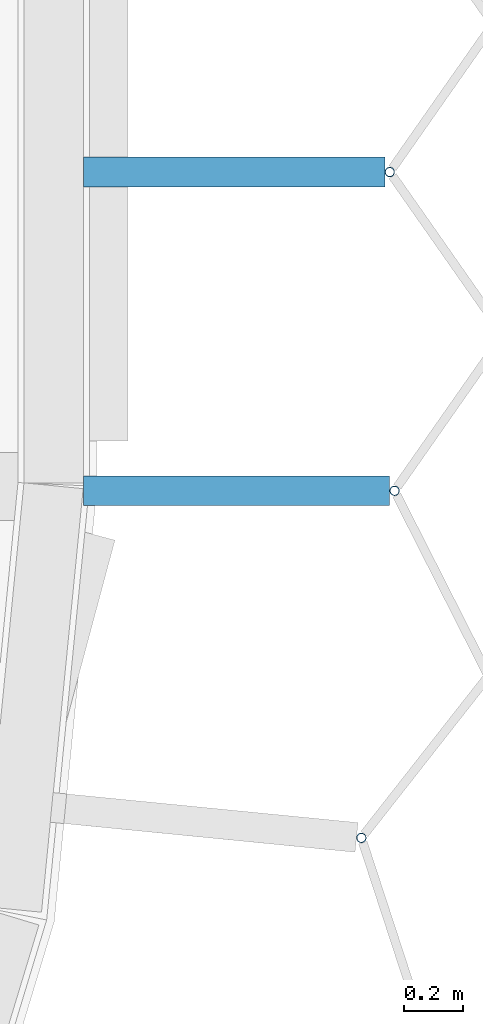
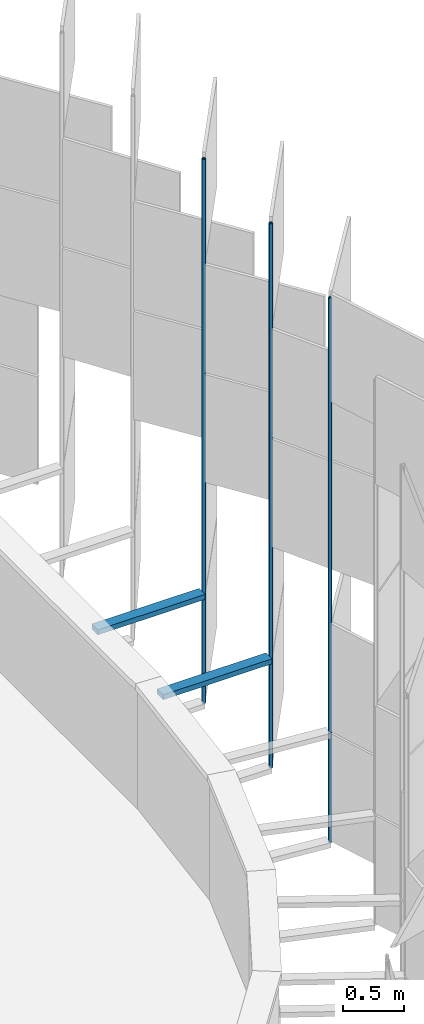
# One storey, part 176 of 483: 5 discrete accessories.
"""IFC4 building model written with IfcOpenShell, lengths in metres."""

from ifc_helpers import new_model, si_unit, direction, frame, origin, origin_2d, place, context, subcontext, project, spatial, rectangle, hollow_circle, extrude, material, material_profile, profile_set, type_object, element, save


model = new_model("IFC4")

# Units and contexts
model_context = context("Model", 3, precision=1e-05, world=origin(), true_north=direction((0.0, 1.0)))
body_context = subcontext(model_context, "Body", "Model", "MODEL_VIEW")
ifc_project = project(units=[si_unit("LENGTHUNIT", "METRE"), si_unit("AREAUNIT", "SQUARE_METRE"), si_unit("VOLUMEUNIT", "CUBIC_METRE"), si_unit("PLANEANGLEUNIT", "RADIAN"), si_unit("MASSUNIT", "GRAM", prefix="KILO")], contexts=[model_context])

# Site, building, storey
site_placement = place(None, origin())
site = spatial("IfcSite", under=ifc_project, at=site_placement, CompositionType="ELEMENT")
building_placement = place(site_placement, origin())
building = spatial("IfcBuilding", under=site, at=building_placement, Name="Parallax Yard Mobility Hub", CompositionType="ELEMENT")
storey_placement = place(building_placement, frame((0.0, 0.0, 13.199951171875)))
storey = spatial("IfcBuildingStorey", under=building, at=storey_placement, Name="L04", CompositionType="ELEMENT", Elevation=13.199951171875)

# Discrete accessories
ifc_material_1 = material(Name="Steel ASTM A36, hot-dip galvanised", Category="steel")
discrete_accessory_type_1 = type_object("IfcDiscreteAccessoryType", Name="Hinge bracket plate 100x50", PredefinedType="BRACKET", material=ifc_material_1)
discrete_accessory_1_placement = place(storey_placement, frame((225.468505859375, 29.985595703125, 1.06982421875), z_axis=(0.0, 0.0, 1.0), x_axis=(1.0, 0.0, 0.0)))
element("IfcDiscreteAccessory", 1, at=discrete_accessory_1_placement, inside=storey, type_object=discrete_accessory_type_1, Name="Hinge bracket plate bay 33.1 level L04", PredefinedType="BRACKET", context=body_context, shape_type="SweptSolid", body=[
    extrude(rectangle(XDim=1.030029296875, YDim=0.10009765625, at=origin_2d()), origin(), (0.0, 0.0, 1.0), 0.050048828125),
])
discrete_accessory_2_placement = place(storey_placement, frame((225.46044921875, 31.057373046875, 1.06982421875), z_axis=(0.0, 0.0, 1.0), x_axis=(1.0, 0.0, 0.0)))
element("IfcDiscreteAccessory", 2, at=discrete_accessory_2_placement, inside=storey, type_object=discrete_accessory_type_1, Name="Hinge bracket plate bay 33.2 level L04", PredefinedType="BRACKET", context=body_context, shape_type="SweptSolid", body=[
    extrude(rectangle(XDim=1.01416015625, YDim=0.10009765625, at=origin_2d()), origin(), (0.0, 0.0, 1.0), 0.050048828125),
])
ifc_material_2 = material(Name="Steel ASTM A500 Gr C, hot-dip galvanised", Category="steel")
ifc_material_profile = material_profile(ifc_material_2, hollow_circle(Radius=0.016845703125, WallThickness=0.003173828125, at=origin_2d()), Name="CHS 33.7x3.2")
ifc_profile_set = profile_set([ifc_material_profile], Name="Steel ASTM A500 Gr C, hot-dip galvanised")
discrete_accessory_type_2 = type_object("IfcDiscreteAccessoryType", Name="Hinge post CHS 33.7x3.2", PredefinedType="BRACKET", material=ifc_profile_set)
for number, where, z_axis, x_axis, name in (
    (3, (225.888427734375, 28.818603515625, 0.0), (0.0, 0.0, 1.0), (1.0, 0.0, 0.0), "Hinge post bay 32.11 level L04"),
    (4, (226.0, 29.985595703125, 0.0), (0.0, 0.0, 1.0), (1.0, 0.0, 0.0), "Hinge post bay 33.1 level L04"),
    (5, (225.98388671875, 31.057373046875, 0.0), (0.0, 0.0, 1.0), (1.0, 0.0, 0.0), "Hinge post bay 33.2 level L04"),
):
    element("IfcDiscreteAccessory", number, at=place(storey_placement, frame(where, z_axis=z_axis, x_axis=x_axis)), inside=storey, type_object=discrete_accessory_type_2, Name=name, PredefinedType="BRACKET", context=body_context, shape_type="SweptSolid", body=[
        extrude(hollow_circle(Radius=0.016845703125, WallThickness=0.003173828125, at=origin_2d()), origin(), (0.0, 0.0, 1.0), 5.449951171875),
    ])

save(model, "model.ifc")
